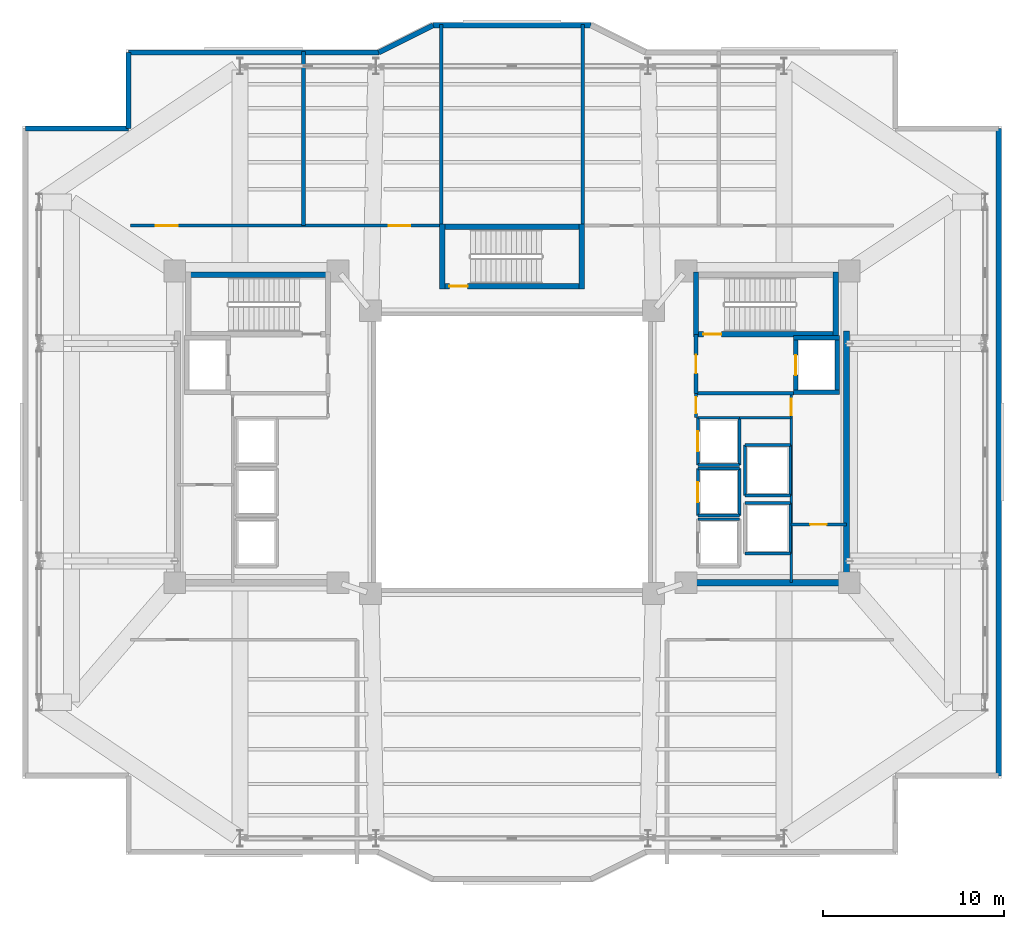
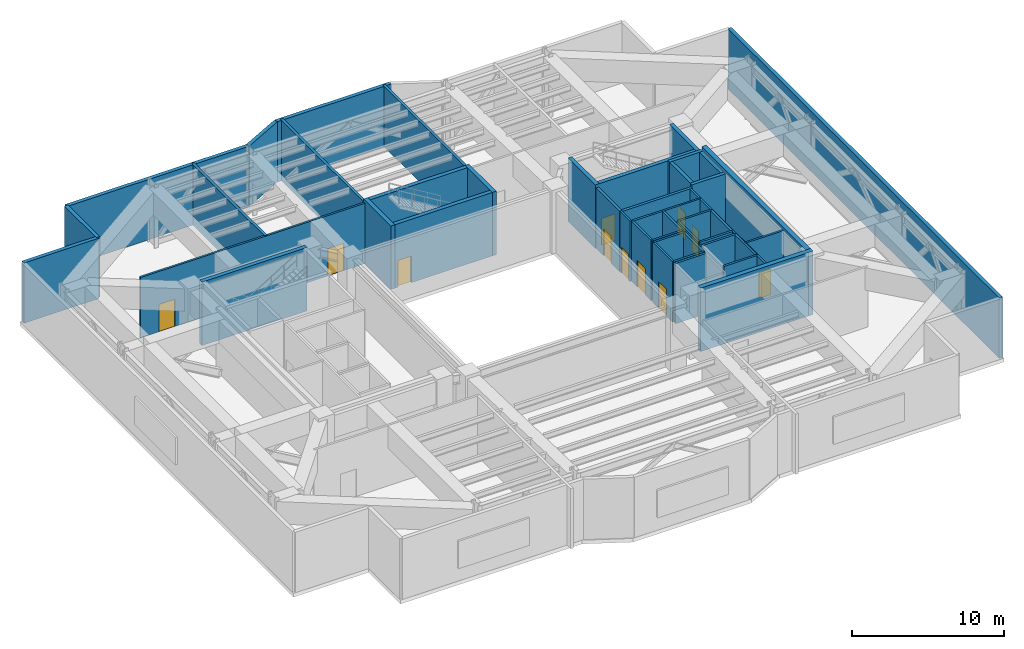
# One storey, part 9 of 13: 46 walls, 11 doors, 11 openings.
"""IFC4 building model written with IfcOpenShell, lengths in metres."""

from ifc_helpers import new_model, si_unit, direction, frame, frame_2d, origin, place, context, subcontext, project, spatial, rectangle, extrude, material, layer, layer_set, type_object, element, fill, save


model = new_model("IFC4")

# Units and contexts
model_context = context("Model", 3, precision=1e-05, world=origin(), true_north=direction((0.0, 1.0)))
body_context = subcontext(model_context, "Body", "Model", "MODEL_VIEW")
ifc_project = project(units=[si_unit("LENGTHUNIT", "METRE"), si_unit("AREAUNIT", "SQUARE_METRE"), si_unit("VOLUMEUNIT", "CUBIC_METRE"), si_unit("PLANEANGLEUNIT", "RADIAN"), si_unit("MASSUNIT", "GRAM", prefix="KILO")], contexts=[model_context])

# Site, building, storey
site_placement = place(None, origin())
site = spatial("IfcSite", under=ifc_project, at=site_placement, CompositionType="ELEMENT")
building_placement = place(site_placement, origin())
building = spatial("IfcBuilding", under=site, at=building_placement, Name="Tarnavaz Court Tower", CompositionType="ELEMENT")
storey_placement = place(building_placement, frame((0.0, 0.0, 127.5)))
storey = spatial("IfcBuildingStorey", under=building, at=storey_placement, Name="L34", CompositionType="ELEMENT", Elevation=127.5)

# Wall, opening, door
ifc_material_1 = material(Name="Concrete C60/75", Category="concrete")
ifc_layer_1 = layer(ifc_material_1, 0.25)
ifc_layer_set_1 = layer_set([ifc_layer_1], Name="Concrete C60/75")
wall_type_1 = type_object("IfcWallType", Name="WL-CORE-250-C60", PredefinedType="SHEAR", material=ifc_layer_set_1)
wall_1_placement = place(storey_placement, frame((15.64990234375, 3.175048828125, 0.0), z_axis=(0.0, 0.0, 1.0), x_axis=(0.0, 1.0, 0.0)))
wall_1 = element("IfcWall", 1, at=wall_1_placement, inside=storey, type_object=wall_type_1, Name="L34 Lift FL-E1 Shaft Wall 033", PredefinedType="SHEAR", context=body_context, shape_type="SweptSolid", body=[
    extrude(rectangle(XDim=3.25, YDim=0.25, at=frame_2d((1.625, 0.0))), origin(), (0.0, 0.0, 1.0), 5.10009765625),
])
opening_1_placement = place(wall_1_placement, frame((1.074951171875, 0.0, 0.0)))
opening_1 = element("IfcOpeningElement", 2, at=opening_1_placement, cuts=wall_1, Name="Opening LD1", PredefinedType="OPENING", context=body_context, shape_type="SweptSolid", body=[
    extrude(rectangle(XDim=1.10009765625, YDim=2.14990234375, at=frame_2d((0.550048828125, 1.074951171875))), frame((0.0, 0.135009765625, 0.0), z_axis=(0.0, -1.0, 0.0), x_axis=(1.0, 0.0, 0.0)), (0.0, 0.0, 1.0), 0.27001953125),
])
ifc_material_2 = material(Name="Stainless Steel", Category="steel")
door_type_1 = type_object("IfcDoorType", Name="DR-LD-1100", OperationType="NOTDEFINED", PredefinedType="DOOR", material=ifc_material_2)
door_1_placement = place(opening_1_placement, origin())
door_1 = element("IfcDoor", 3, at=door_1_placement, inside=storey, type_object=door_type_1, Name="L34 Lift Landing Door LD-FL-E1", OperationType="SLIDING_TO_LEFT", OverallHeight=2.14990234375, OverallWidth=1.10009765625, PredefinedType="DOOR", context=body_context, shape_type="SweptSolid", body=[
    extrude(rectangle(XDim=1.10009765625, YDim=2.14990234375, at=frame_2d((0.550048828125, 1.074951171875))), frame((0.0, 0.02490234375, 0.0), z_axis=(0.0, -1.0, 0.0), x_axis=(1.0, 0.0, 0.0)), (0.0, 0.0, 1.0), 0.050048828125),
])
fill(opening_1, door_1)

# Walls
wall_2_placement = place(storey_placement, frame((17.949951171875, 3.175048828125, 0.0), z_axis=(0.0, 0.0, 1.0), x_axis=(0.0, 1.0, 0.0)))
element("IfcWall", 4, at=wall_2_placement, inside=storey, type_object=wall_type_1, Name="L34 Lift FL-E1 Shaft Wall 034", PredefinedType="SHEAR", context=body_context, shape_type="SweptSolid", body=[
    extrude(rectangle(XDim=3.25, YDim=0.25, at=frame_2d((1.625, 0.0))), origin(), (0.0, 0.0, 1.0), 5.10009765625),
])
for number, where, z_axis, x_axis, name in (
    (5, (15.52490234375, 3.300048828125, 0.0), (0.0, 0.0, 1.0), (1.0, 0.0, 0.0), "L34 Lift FL-E1 Shaft Wall 035"),
    (6, (15.52490234375, 6.300048828125, 0.0), (0.0, 0.0, 1.0), (1.0, 0.0, 0.0), "L34 Lift FL-E1 Shaft Wall 036"),
):
    element("IfcWall", number, at=place(storey_placement, frame(where, z_axis=z_axis, x_axis=x_axis)), inside=storey, type_object=wall_type_1, Name=name, PredefinedType="SHEAR", context=body_context, shape_type="SweptSolid", body=[
        extrude(rectangle(XDim=2.550048828125, YDim=0.25, at=frame_2d((1.27490234375, 0.0))), origin(), (0.0, 0.0, 1.0), 5.10009765625),
    ])
ifc_layer_2 = layer(ifc_material_1, 0.300048828125)
ifc_layer_set_2 = layer_set([ifc_layer_2], Name="Concrete C60/75")
wall_type_2 = type_object("IfcWallType", Name="WL-CORE-300-C60", PredefinedType="SHEAR", material=ifc_layer_set_2)
wall_3_placement = place(storey_placement, frame((-18.0, 9.7900390625, 0.0), z_axis=(0.0, 0.0, 1.0), x_axis=(1.0, 0.0, 0.0)))
element("IfcWall", 7, at=wall_3_placement, inside=storey, type_object=wall_type_2, Name="L34 West Stair Core Wall 001", PredefinedType="SHEAR", context=body_context, shape_type="SweptSolid", body=[
    extrude(rectangle(XDim=8.0, YDim=0.300048828125, at=frame_2d((4.0, 0.0))), origin(), (0.0, 0.0, 1.0), 5.10009765625),
])

# Wall, opening, door
wall_4_placement = place(storey_placement, frame((10.0, 6.5, 0.0), z_axis=(0.0, 0.0, 1.0), x_axis=(1.0, 0.0, 0.0)))
wall_4 = element("IfcWall", 8, at=wall_4_placement, inside=storey, type_object=wall_type_2, Name="L34 East Stair Core Wall 006", PredefinedType="SHEAR", context=body_context, shape_type="SweptSolid", body=[
    extrude(rectangle(XDim=8.0, YDim=0.300048828125, at=frame_2d((4.0, 0.0))), origin(), (0.0, 0.0, 1.0), 5.10009765625),
])
opening_2_placement = place(wall_4_placement, frame((0.550048828125, 0.0, 0.0)))
opening_2 = element("IfcOpeningElement", 9, at=opening_2_placement, cuts=wall_4, Name="Opening D01", PredefinedType="OPENING", context=body_context, shape_type="SweptSolid", body=[
    extrude(rectangle(XDim=1.0, YDim=2.14990234375, at=frame_2d((0.5, 1.074951171875))), frame((0.0, 0.159912109375, 0.0), z_axis=(0.0, -1.0, 0.0), x_axis=(1.0, 0.0, 0.0)), (0.0, 0.0, 1.0), 0.320068359375),
])
ifc_material_3 = material(Name="Fire-Rated Hardwood Timber Core", Category="wood")
door_type_2 = type_object("IfcDoorType", Name="DR-FD90-1000", OperationType="NOTDEFINED", PredefinedType="DOOR", material=ifc_material_3)
door_2_placement = place(opening_2_placement, origin())
door_2 = element("IfcDoor", 10, at=door_2_placement, inside=storey, type_object=door_type_2, Name="L34 Stair ST-E1 Exit Door", OperationType="SINGLE_SWING_RIGHT", OverallHeight=2.14990234375, OverallWidth=1.0, PredefinedType="DOOR", context=body_context, shape_type="SweptSolid", body=[
    extrude(rectangle(XDim=1.0, YDim=2.14990234375, at=frame_2d((0.5, 1.074951171875))), frame((0.0, 0.02490234375, 0.0), z_axis=(0.0, -1.0, 0.0), x_axis=(1.0, 0.0, 0.0)), (0.0, 0.0, 1.0), 0.050048828125),
])
fill(opening_2, door_2)

# Walls
for number, where, z_axis, x_axis, name in (
    (11, (10.14990234375, 6.35009765625, 0.0), (0.0, 0.0, 1.0), (0.0, 1.0, 0.0), "L34 East Stair Core Wall 007"),
    (12, (17.85009765625, 6.35009765625, 0.0), (0.0, 0.0, 1.0), (0.0, 1.0, 0.0), "L34 East Stair Core Wall 008"),
):
    element("IfcWall", number, at=place(storey_placement, frame(where, z_axis=z_axis, x_axis=x_axis)), inside=storey, type_object=wall_type_2, Name=name, PredefinedType="SHEAR", context=body_context, shape_type="SweptSolid", body=[
        extrude(rectangle(XDim=3.58984375, YDim=0.300048828125, at=frame_2d((1.794921875, 0.0))), origin(), (0.0, 0.0, 1.0), 5.10009765625),
    ])
wall_5_placement = place(storey_placement, frame((-4.0, 12.43994140625, 0.0), z_axis=(0.0, 0.0, 1.0), x_axis=(1.0, 0.0, 0.0)))
element("IfcWall", 13, at=wall_5_placement, inside=storey, type_object=wall_type_2, Name="L34 North Stair Core Wall 009", PredefinedType="SHEAR", context=body_context, shape_type="SweptSolid", body=[
    extrude(rectangle(XDim=8.0, YDim=0.300048828125, at=frame_2d((4.0, 0.0))), origin(), (0.0, 0.0, 1.0), 5.10009765625),
])

# Wall, opening, door
wall_6_placement = place(storey_placement, frame((-4.0, 9.14990234375, 0.0), z_axis=(0.0, 0.0, 1.0), x_axis=(1.0, 0.0, 0.0)))
wall_6 = element("IfcWall", 14, at=wall_6_placement, inside=storey, type_object=wall_type_2, Name="L34 North Stair Core Wall 010", PredefinedType="SHEAR", context=body_context, shape_type="SweptSolid", body=[
    extrude(rectangle(XDim=8.0, YDim=0.300048828125, at=frame_2d((4.0, 0.0))), origin(), (0.0, 0.0, 1.0), 5.10009765625),
])
opening_3_placement = place(wall_6_placement, frame((0.550048828125, 0.0, 0.0)))
opening_3 = element("IfcOpeningElement", 15, at=opening_3_placement, cuts=wall_6, Name="Opening D01", PredefinedType="OPENING", context=body_context, shape_type="SweptSolid", body=[
    extrude(rectangle(XDim=1.0, YDim=2.14990234375, at=frame_2d((0.5, 1.074951171875))), frame((0.0, 0.159912109375, 0.0), z_axis=(0.0, -1.0, 0.0), x_axis=(1.0, 0.0, 0.0)), (0.0, 0.0, 1.0), 0.320068359375),
])
door_3_placement = place(opening_3_placement, origin())
door_3 = element("IfcDoor", 16, at=door_3_placement, inside=storey, type_object=door_type_2, Name="L34 Stair ST-N1 Exit Door", OperationType="SINGLE_SWING_LEFT", OverallHeight=2.14990234375, OverallWidth=1.0, PredefinedType="DOOR", context=body_context, shape_type="SweptSolid", body=[
    extrude(rectangle(XDim=1.0, YDim=2.14990234375, at=frame_2d((0.5, 1.074951171875))), frame((0.0, 0.02490234375, 0.0), z_axis=(0.0, -1.0, 0.0), x_axis=(1.0, 0.0, 0.0)), (0.0, 0.0, 1.0), 0.050048828125),
])
fill(opening_3, door_3)

# Walls
for number, where, z_axis, x_axis, name in (
    (17, (-3.85009765625, 9.0, 0.0), (0.0, 0.0, 1.0), (0.0, 1.0, 0.0), "L34 North Stair Core Wall 011"),
    (18, (3.85009765625, 9.0, 0.0), (0.0, 0.0, 1.0), (0.0, 1.0, 0.0), "L34 North Stair Core Wall 012"),
):
    element("IfcWall", number, at=place(storey_placement, frame(where, z_axis=z_axis, x_axis=x_axis)), inside=storey, type_object=wall_type_2, Name=name, PredefinedType="SHEAR", context=body_context, shape_type="SweptSolid", body=[
        extrude(rectangle(XDim=3.590087890625, YDim=0.300048828125, at=frame_2d((1.794921875, 0.0))), origin(), (0.0, 0.0, 1.0), 5.10009765625),
    ])
ifc_layer_3 = layer(ifc_material_1, 0.35009765625)
ifc_layer_set_3 = layer_set([ifc_layer_3], Name="Concrete C60/75")
wall_type_3 = type_object("IfcWallType", Name="WL-CORE-350-C60", PredefinedType="SHEAR", material=ifc_layer_set_3)
wall_7_placement = place(storey_placement, frame((18.449951171875, -7.375, 0.0), z_axis=(0.0, 0.0, 1.0), x_axis=(0.0, 1.0, 0.0)))
element("IfcWall", 19, at=wall_7_placement, inside=storey, type_object=wall_type_3, Name="L34 East Core Shear Wall 059", PredefinedType="SHEAR", context=body_context, shape_type="SweptSolid", body=[
    extrude(rectangle(XDim=14.050048828125, YDim=0.35009765625, at=frame_2d((7.02490234375, 0.0))), origin(), (0.0, 0.0, 1.0), 5.10009765625),
])
wall_8_placement = place(storey_placement, frame((10.074951171875, -7.199951171875, 0.0), z_axis=(0.0, 0.0, 1.0), x_axis=(1.0, 0.0, 0.0)))
element("IfcWall", 20, at=wall_8_placement, inside=storey, type_object=wall_type_3, Name="L34 East Core South Shear Wall 060", PredefinedType="SHEAR", context=body_context, shape_type="SweptSolid", body=[
    extrude(rectangle(XDim=8.550048828125, YDim=0.35009765625, at=frame_2d((4.27490234375, 0.0))), origin(), (0.0, 0.0, 1.0), 5.10009765625),
])
ifc_material_4 = material(Name="Precast Concrete C40/50", Category="concrete")
ifc_layer_4 = layer(ifc_material_4, 0.280029296875)
ifc_layer_set_4 = layer_set([ifc_layer_4], Name="Precast Concrete C40/50")
wall_type_4 = type_object("IfcWallType", Name="WL-EXT-280", PredefinedType="SOLIDWALL", material=ifc_layer_set_4)
wall_9_placement = place(storey_placement, frame((-26.85009765625, 17.85009765625, 0.0), z_axis=(0.0, 0.0, 1.0), x_axis=(1.0, 0.0, 0.0)))
element("IfcWall", 21, at=wall_9_placement, inside=storey, type_object=wall_type_4, Name="L34 Exterior Terracotta Facade Wall 03", PredefinedType="SOLIDWALL", context=body_context, shape_type="SweptSolid", body=[
    extrude(rectangle(XDim=5.7001953125, YDim=0.280029296875, at=frame_2d((2.85009765625, 0.0))), origin(), (0.0, 0.0, 1.0), 4.85009765625),
])
wall_10_placement = place(storey_placement, frame((-21.14990234375, 17.85009765625, 0.0), z_axis=(0.0, 0.0, 1.0), x_axis=(0.0, 1.0, 0.0)))
element("IfcWall", 22, at=wall_10_placement, inside=storey, type_object=wall_type_4, Name="L34 Exterior Terracotta Facade Wall 04", PredefinedType="SOLIDWALL", context=body_context, shape_type="SweptSolid", body=[
    extrude(rectangle(XDim=4.199951171875, YDim=0.280029296875, at=frame_2d((2.10009765625, 0.0))), origin(), (0.0, 0.0, 1.0), 4.85009765625),
])
wall_11_placement = place(storey_placement, frame((-21.14990234375, 22.050048828125, 0.0), z_axis=(0.0, 0.0, 1.0), x_axis=(1.0, 0.0, 0.0)))
element("IfcWall", 23, at=wall_11_placement, inside=storey, type_object=wall_type_4, Name="L34 Exterior Terracotta Facade Wall 05", PredefinedType="SOLIDWALL", context=body_context, shape_type="SweptSolid", body=[
    extrude(rectangle(XDim=13.7998046875, YDim=0.280029296875, at=frame_2d((6.89990234375, 0.0))), origin(), (0.0, 0.0, 1.0), 4.85009765625),
])
wall_12_placement = place(storey_placement, frame((-7.35009765625, 22.050048828125, 0.0), z_axis=(0.0, 0.0, 1.0), x_axis=(0.894427191, 0.4472135955, 0.0)))
element("IfcWall", 24, at=wall_12_placement, inside=storey, type_object=wall_type_4, Name="L34 Exterior Terracotta Facade Wall 06", PredefinedType="SOLIDWALL", context=body_context, shape_type="SweptSolid", body=[
    extrude(rectangle(XDim=3.35400390625, YDim=0.280029296875, at=frame_2d((1.677001953125, 0.0))), origin(), (0.0, 0.0, 1.0), 4.85009765625),
])
wall_13_placement = place(storey_placement, frame((-4.35009765625, 23.550048828125, 0.0), z_axis=(0.0, 0.0, 1.0), x_axis=(1.0, 0.0, 0.0)))
element("IfcWall", 25, at=wall_13_placement, inside=storey, type_object=wall_type_4, Name="L34 Exterior Terracotta Facade Wall 07", PredefinedType="SOLIDWALL", context=body_context, shape_type="SweptSolid", body=[
    extrude(rectangle(XDim=8.7001953125, YDim=0.280029296875, at=frame_2d((4.35009765625, 0.0))), origin(), (0.0, 0.0, 1.0), 4.85009765625),
])
wall_14_placement = place(storey_placement, frame((26.85009765625, 17.85009765625, 0.0), z_axis=(0.0, 0.0, 1.0), x_axis=(0.0, -1.0, 0.0)))
element("IfcWall", 26, at=wall_14_placement, inside=storey, type_object=wall_type_4, Name="L34 Exterior Terracotta Facade Wall 12", PredefinedType="SOLIDWALL", context=body_context, shape_type="SweptSolid", body=[
    extrude(rectangle(XDim=35.7001953125, YDim=0.280029296875, at=frame_2d((17.85009765625, 0.0))), origin(), (0.0, 0.0, 1.0), 4.85009765625),
])

# Wall, openings, doors
ifc_material_5 = material(Name="Gypsum Fire-Board on Acoustic Metal Stud", Category="masonry")
ifc_layer_5 = layer(ifc_material_5, 0.14990234375)
ifc_layer_set_5 = layer_set([ifc_layer_5], Name="Gypsum Fire-Board on Acoustic Metal Stud")
wall_type_5 = type_object("IfcWallType", Name="WL-FIRE-150", PredefinedType="PARTITIONING", material=ifc_layer_set_5)
wall_15_placement = place(storey_placement, frame((-21.050048828125, 12.5, 0.0), z_axis=(0.0, 0.0, 1.0), x_axis=(1.0, 0.0, 0.0)))
wall_15 = element("IfcWall", 27, at=wall_15_placement, inside=storey, type_object=wall_type_5, Name="L34 NW Wing Corridor Wall 069", PredefinedType="PARTITIONING", context=body_context, shape_type="SweptSolid", body=[
    extrude(rectangle(XDim=17.199951171875, YDim=0.14990234375, at=frame_2d((8.60009765625, 0.0))), origin(), (0.0, 0.0, 1.0), 4.85009765625),
])
opening_4_placement = place(wall_15_placement, frame((1.39990234375, 0.0, 0.0)))
opening_4 = element("IfcOpeningElement", 28, at=opening_4_placement, cuts=wall_15, Name="Opening D03", PredefinedType="OPENING", context=body_context, shape_type="SweptSolid", body=[
    extrude(rectangle(XDim=1.199951171875, YDim=2.199951171875, at=frame_2d((0.60009765625, 1.10009765625))), frame((0.0, 0.0849609375, 0.0), z_axis=(0.0, -1.0, 0.0), x_axis=(1.0, 0.0, 0.0)), (0.0, 0.0, 1.0), 0.169921875),
])
opening_5_placement = place(wall_15_placement, frame((14.25, 0.0, 0.0)))
opening_5 = element("IfcOpeningElement", 29, at=opening_5_placement, cuts=wall_15, Name="Opening D03", PredefinedType="OPENING", context=body_context, shape_type="SweptSolid", body=[
    extrude(rectangle(XDim=1.199951171875, YDim=2.199951171875, at=frame_2d((0.60009765625, 1.10009765625))), frame((0.0, 0.0849609375, 0.0), z_axis=(0.0, -1.0, 0.0), x_axis=(1.0, 0.0, 0.0)), (0.0, 0.0, 1.0), 0.169921875),
])
door_type_3 = type_object("IfcDoorType", Name="DR-FD90-1200", OperationType="NOTDEFINED", PredefinedType="DOOR", material=ifc_material_3)
door_4_placement = place(opening_4_placement, origin())
door_4 = element("IfcDoor", 30, at=door_4_placement, inside=storey, type_object=door_type_3, Name="L34 Chilled Water Plant Door", OperationType="SINGLE_SWING_LEFT", OverallHeight=2.199951171875, OverallWidth=1.199951171875, PredefinedType="DOOR", context=body_context, shape_type="SweptSolid", body=[
    extrude(rectangle(XDim=1.199951171875, YDim=2.199951171875, at=frame_2d((0.60009765625, 1.10009765625))), frame((0.0, 0.02490234375, 0.0), z_axis=(0.0, -1.0, 0.0), x_axis=(1.0, 0.0, 0.0)), (0.0, 0.0, 1.0), 0.050048828125),
])
fill(opening_4, door_4)
door_5_placement = place(opening_5_placement, origin())
door_5 = element("IfcDoor", 31, at=door_5_placement, inside=storey, type_object=door_type_3, Name="L34 North Refuge Area Door", OperationType="SINGLE_SWING_RIGHT", OverallHeight=2.199951171875, OverallWidth=1.199951171875, PredefinedType="DOOR", context=body_context, shape_type="SweptSolid", body=[
    extrude(rectangle(XDim=1.199951171875, YDim=2.199951171875, at=frame_2d((0.60009765625, 1.10009765625))), frame((0.0, 0.02490234375, 0.0), z_axis=(0.0, -1.0, 0.0), x_axis=(1.0, 0.0, 0.0)), (0.0, 0.0, 1.0), 0.050048828125),
])
fill(opening_5, door_5)

# Wall
ifc_material_6 = material(Name="Autoclaved Aerated Concrete Blockwork", Category="masonry")
ifc_layer_6 = layer(ifc_material_6, 0.199951171875)
ifc_layer_set_6 = layer_set([ifc_layer_6], Name="Autoclaved Aerated Concrete Blockwork")
wall_type_6 = type_object("IfcWallType", Name="WL-FIRE-200", PredefinedType="SOLIDWALL", material=ifc_layer_set_6)
wall_16_placement = place(storey_placement, frame((10.14990234375, 3.25, 0.0), z_axis=(0.0, 0.0, 1.0), x_axis=(1.0, 0.0, 0.0)))
element("IfcWall", 32, at=wall_16_placement, inside=storey, type_object=wall_type_6, Name="L34 East Firefighting Lobby Wall 015", PredefinedType="SOLIDWALL", context=body_context, shape_type="SweptSolid", body=[
    extrude(rectangle(XDim=5.400146484375, YDim=0.199951171875, at=frame_2d((2.7001953125, 0.0))), origin(), (0.0, 0.0, 1.0), 4.85009765625),
])

# Wall, opening, door
wall_17_placement = place(storey_placement, frame((10.14990234375, 3.25, 0.0), z_axis=(0.0, 0.0, 1.0), x_axis=(0.0, 1.0, 0.0)))
wall_17 = element("IfcWall", 33, at=wall_17_placement, inside=storey, type_object=wall_type_6, Name="L34 East Firefighting Lobby Wall 016", PredefinedType="SOLIDWALL", context=body_context, shape_type="SweptSolid", body=[
    extrude(rectangle(XDim=3.25, YDim=0.199951171875, at=frame_2d((1.625, 0.0))), origin(), (0.0, 0.0, 1.0), 4.85009765625),
])
opening_6_placement = place(wall_17_placement, frame((1.10009765625, 0.0, 0.0)))
opening_6 = element("IfcOpeningElement", 34, at=opening_6_placement, cuts=wall_17, Name="Opening D05", PredefinedType="OPENING", context=body_context, shape_type="SweptSolid", body=[
    extrude(rectangle(XDim=1.02001953125, YDim=2.14990234375, at=frame_2d((0.510009765625, 1.074951171875))), frame((0.0, 0.10986328125, 0.0), z_axis=(0.0, -1.0, 0.0), x_axis=(1.0, 0.0, 0.0)), (0.0, 0.0, 1.0), 0.219970703125),
])
door_type_4 = type_object("IfcDoorType", Name="DR-FD60-1000", OperationType="NOTDEFINED", PredefinedType="DOOR", material=ifc_material_3)
door_6_placement = place(opening_6_placement, origin())
door_6 = element("IfcDoor", 35, at=door_6_placement, inside=storey, type_object=door_type_4, Name="L34 East Firefighting Lobby Door", OperationType="SINGLE_SWING_LEFT", OverallHeight=2.14990234375, OverallWidth=1.02001953125, PredefinedType="DOOR", context=body_context, shape_type="SweptSolid", body=[
    extrude(rectangle(XDim=1.02001953125, YDim=2.14990234375, at=frame_2d((0.510009765625, 1.074951171875))), frame((0.0, 0.02490234375, 0.0), z_axis=(0.0, -1.0, 0.0), x_axis=(1.0, 0.0, 0.0)), (0.0, 0.0, 1.0), 0.050048828125),
])
fill(opening_6, door_6)

# Walls
for number, where, z_axis, x_axis, name in (
    (36, (-3.89990234375, 12.5, 0.0), (0.0, 0.0, 1.0), (0.0, 1.0, 0.0), "L34 Interior Partition 073"),
    (37, (3.89990234375, 12.5, 0.0), (0.0, 0.0, 1.0), (0.0, 1.0, 0.0), "L34 Interior Partition 074"),
):
    element("IfcWall", number, at=place(storey_placement, frame(where, z_axis=z_axis, x_axis=x_axis)), inside=storey, type_object=wall_type_6, Name=name, PredefinedType="SOLIDWALL", context=body_context, shape_type="SweptSolid", body=[
        extrude(rectangle(XDim=11.080078125, YDim=0.199951171875, at=frame_2d((5.5400390625, 0.0))), origin(), (0.0, 0.0, 1.0), 4.85009765625),
    ])
wall_18_placement = place(storey_placement, frame((-11.5, 12.5, 0.0), z_axis=(0.0, 0.0, 1.0), x_axis=(0.0, 1.0, 0.0)))
element("IfcWall", 38, at=wall_18_placement, inside=storey, type_object=wall_type_6, Name="L34 Interior Partition 075", PredefinedType="SOLIDWALL", context=body_context, shape_type="SweptSolid", body=[
    extrude(rectangle(XDim=9.60009765625, YDim=0.199951171875, at=frame_2d((4.800048828125, 0.0))), origin(), (0.0, 0.0, 1.0), 4.85009765625),
])
ifc_material_7 = material(Name="Gypsum Plasterboard Acoustic Partition", Category="masonry")
ifc_layer_7 = layer(ifc_material_7, 0.139892578125)
ifc_layer_set_7 = layer_set([ifc_layer_7], Name="Gypsum Plasterboard Acoustic Partition")
wall_type_7 = type_object("IfcWallType", Name="WL-PART-150", PredefinedType="PARTITIONING", material=ifc_layer_set_7)
wall_19_placement = place(storey_placement, frame((12.550048828125, 1.89990234375, 0.0), z_axis=(0.0, 0.0, 1.0), x_axis=(1.0, 0.0, 0.0)))
element("IfcWall", 39, at=wall_19_placement, inside=storey, type_object=wall_type_7, Name="L34 Interior Partition 065", PredefinedType="PARTITIONING", context=body_context, shape_type="SweptSolid", body=[
    extrude(rectangle(XDim=2.849853515625, YDim=0.139892578125, at=frame_2d((1.4248046875, 0.0))), origin(), (0.0, 0.0, 1.0), 4.85009765625),
])

# Wall, opening, door
wall_20_placement = place(storey_placement, frame((10.14990234375, 1.919921875, 0.0), z_axis=(0.0, 0.0, 1.0), x_axis=(0.0, 1.0, 0.0)))
wall_20 = element("IfcWall", 40, at=wall_20_placement, inside=storey, type_object=wall_type_7, Name="L34 Interior Partition 066", PredefinedType="PARTITIONING", context=body_context, shape_type="SweptSolid", body=[
    extrude(rectangle(XDim=1.330078125, YDim=0.139892578125, at=frame_2d((0.6650390625, 0.0))), origin(), (0.0, 0.0, 1.0), 4.85009765625),
])
opening_7_placement = place(wall_20_placement, frame((0.219970703125, 0.0, 0.0)))
opening_7 = element("IfcOpeningElement", 41, at=opening_7_placement, cuts=wall_20, Name="Opening D09", PredefinedType="OPENING", context=body_context, shape_type="SweptSolid", body=[
    extrude(rectangle(XDim=0.89990234375, YDim=2.080078125, at=frame_2d((0.449951171875, 1.0400390625))), frame((0.0, 0.079833984375, 0.0), z_axis=(0.0, -1.0, 0.0), x_axis=(1.0, 0.0, 0.0)), (0.0, 0.0, 1.0), 0.159912109375),
])
door_type_5 = type_object("IfcDoorType", Name="DR-FD30-900", OperationType="NOTDEFINED", PredefinedType="DOOR", material=ifc_material_3)
door_7_placement = place(opening_7_placement, origin())
door_7 = element("IfcDoor", 42, at=door_7_placement, inside=storey, type_object=door_type_5, Name="L34 East Core Service Lobby Door", OperationType="SINGLE_SWING_RIGHT", OverallHeight=2.080078125, OverallWidth=0.89990234375, PredefinedType="DOOR", context=body_context, shape_type="SweptSolid", body=[
    extrude(rectangle(XDim=0.89990234375, YDim=2.080078125, at=frame_2d((0.449951171875, 1.0400390625))), frame((0.0, 0.02490234375, 0.0), z_axis=(0.0, -1.0, 0.0), x_axis=(1.0, 0.0, 0.0)), (0.0, 0.0, 1.0), 0.050048828125),
])
fill(opening_7, door_7)

wall_21_placement = place(storey_placement, frame((15.39990234375, -7.199951171875, 0.0), z_axis=(0.0, 0.0, 1.0), x_axis=(0.0, 1.0, 0.0)))
wall_21 = element("IfcWall", 43, at=wall_21_placement, inside=storey, type_object=wall_type_7, Name="L34 Interior Partition 067", PredefinedType="PARTITIONING", context=body_context, shape_type="SweptSolid", body=[
    extrude(rectangle(XDim=10.449951171875, YDim=0.139892578125, at=frame_2d((5.22509765625, 0.0))), origin(), (0.0, 0.0, 1.0), 4.85009765625),
])
opening_8_placement = place(wall_21_placement, frame((9.25, 0.0, 0.0)))
opening_8 = element("IfcOpeningElement", 44, at=opening_8_placement, cuts=wall_21, Name="Opening D09", PredefinedType="OPENING", context=body_context, shape_type="SweptSolid", body=[
    extrude(rectangle(XDim=0.89990234375, YDim=2.080078125, at=frame_2d((0.449951171875, 1.0400390625))), frame((0.0, 0.079833984375, 0.0), z_axis=(0.0, -1.0, 0.0), x_axis=(1.0, 0.0, 0.0)), (0.0, 0.0, 1.0), 0.159912109375),
])
door_8_placement = place(opening_8_placement, origin())
door_8 = element("IfcDoor", 45, at=door_8_placement, inside=storey, type_object=door_type_5, Name="L34 East Wet Riser Door", OperationType="SINGLE_SWING_LEFT", OverallHeight=2.080078125, OverallWidth=0.89990234375, PredefinedType="DOOR", context=body_context, shape_type="SweptSolid", body=[
    extrude(rectangle(XDim=0.89990234375, YDim=2.080078125, at=frame_2d((0.449951171875, 1.0400390625))), frame((0.0, 0.02490234375, 0.0), z_axis=(0.0, -1.0, 0.0), x_axis=(1.0, 0.0, 0.0)), (0.0, 0.0, 1.0), 0.050048828125),
])
fill(opening_8, door_8)

wall_22_placement = place(storey_placement, frame((15.39990234375, -3.989990234375, 0.0), z_axis=(0.0, 0.0, 1.0), x_axis=(1.0, 0.0, 0.0)))
wall_22 = element("IfcWall", 46, at=wall_22_placement, inside=storey, type_object=wall_type_7, Name="L34 Interior Partition 068", PredefinedType="PARTITIONING", context=body_context, shape_type="SweptSolid", body=[
    extrude(rectangle(XDim=3.050048828125, YDim=0.139892578125, at=frame_2d((1.52490234375, 0.0))), origin(), (0.0, 0.0, 1.0), 4.85009765625),
])
opening_9_placement = place(wall_22_placement, frame((1.050048828125, 0.0, 0.0)))
opening_9 = element("IfcOpeningElement", 47, at=opening_9_placement, cuts=wall_22, Name="Opening D09", PredefinedType="OPENING", context=body_context, shape_type="SweptSolid", body=[
    extrude(rectangle(XDim=0.89990234375, YDim=2.080078125, at=frame_2d((0.449951171875, 1.0400390625))), frame((0.0, 0.079833984375, 0.0), z_axis=(0.0, -1.0, 0.0), x_axis=(1.0, 0.0, 0.0)), (0.0, 0.0, 1.0), 0.159912109375),
])
door_9_placement = place(opening_9_placement, origin())
door_9 = element("IfcDoor", 48, at=door_9_placement, inside=storey, type_object=door_type_5, Name="L34 East Electrical Plant Door", OperationType="SINGLE_SWING_RIGHT", OverallHeight=2.080078125, OverallWidth=0.89990234375, PredefinedType="DOOR", context=body_context, shape_type="SweptSolid", body=[
    extrude(rectangle(XDim=0.89990234375, YDim=2.080078125, at=frame_2d((0.449951171875, 1.0400390625))), frame((0.0, 0.02490234375, 0.0), z_axis=(0.0, -1.0, 0.0), x_axis=(1.0, 0.0, 0.0)), (0.0, 0.0, 1.0), 0.050048828125),
])
fill(opening_9, door_9)

# Wall
ifc_layer_8 = layer(ifc_material_6, 0.159912109375)
ifc_layer_set_8 = layer_set([ifc_layer_8], Name="Autoclaved Aerated Concrete Blockwork")
wall_type_8 = type_object("IfcWallType", Name="WL-SHAFT-150", PredefinedType="SOLIDWALL", material=ifc_layer_set_8)
wall_23_placement = place(storey_placement, frame((10.25, -3.699951171875, 0.0), z_axis=(0.0, 0.0, 1.0), x_axis=(1.0, 0.0, 0.0)))
element("IfcWall", 49, at=wall_23_placement, inside=storey, type_object=wall_type_8, Name="L34 Lift PL-M1 Shaft Wall 040", PredefinedType="SOLIDWALL", context=body_context, shape_type="SweptSolid", body=[
    extrude(rectangle(XDim=2.300048828125, YDim=0.159912109375, at=frame_2d((1.14990234375, 0.0))), origin(), (0.0, 0.0, 1.0), 4.85009765625),
])

# Wall, opening, door
wall_24_placement = place(storey_placement, frame((10.25, -3.5, 0.0), z_axis=(0.0, 0.0, 1.0), x_axis=(0.0, 1.0, 0.0)))
wall_24 = element("IfcWall", 50, at=wall_24_placement, inside=storey, type_object=wall_type_8, Name="L34 Lift PL-M2 Shaft Wall 041", PredefinedType="SOLIDWALL", context=body_context, shape_type="SweptSolid", body=[
    extrude(rectangle(XDim=2.60009765625, YDim=0.159912109375, at=frame_2d((1.300048828125, 0.0))), origin(), (0.0, 0.0, 1.0), 4.85009765625),
])
opening_10_placement = place(wall_24_placement, frame((0.75, 0.0, 0.0)))
opening_10 = element("IfcOpeningElement", 51, at=opening_10_placement, cuts=wall_24, Name="Opening LD1", PredefinedType="OPENING", context=body_context, shape_type="SweptSolid", body=[
    extrude(rectangle(XDim=1.10009765625, YDim=2.14990234375, at=frame_2d((0.550048828125, 1.074951171875))), frame((0.0, 0.08984375, 0.0), z_axis=(0.0, -1.0, 0.0), x_axis=(1.0, 0.0, 0.0)), (0.0, 0.0, 1.0), 0.179931640625),
])
door_10_placement = place(opening_10_placement, origin())
door_10 = element("IfcDoor", 52, at=door_10_placement, inside=storey, type_object=door_type_1, Name="L34 Lift Landing Door LD-PL-M2", OperationType="SLIDING_TO_LEFT", OverallHeight=2.14990234375, OverallWidth=1.10009765625, PredefinedType="DOOR", context=body_context, shape_type="SweptSolid", body=[
    extrude(rectangle(XDim=1.10009765625, YDim=2.14990234375, at=frame_2d((0.550048828125, 1.074951171875))), frame((0.0, 0.02490234375, 0.0), z_axis=(0.0, -1.0, 0.0), x_axis=(1.0, 0.0, 0.0)), (0.0, 0.0, 1.0), 0.050048828125),
])
fill(opening_10, door_10)

# Walls
wall_25_placement = place(storey_placement, frame((12.550048828125, -3.5, 0.0), z_axis=(0.0, 0.0, 1.0), x_axis=(0.0, 1.0, 0.0)))
element("IfcWall", 53, at=wall_25_placement, inside=storey, type_object=wall_type_8, Name="L34 Lift PL-M2 Shaft Wall 042", PredefinedType="SOLIDWALL", context=body_context, shape_type="SweptSolid", body=[
    extrude(rectangle(XDim=2.60009765625, YDim=0.159912109375, at=frame_2d((1.300048828125, 0.0))), origin(), (0.0, 0.0, 1.0), 4.85009765625),
])
for number, where, z_axis, x_axis, name in (
    (54, (10.25, -3.5, 0.0), (0.0, 0.0, 1.0), (1.0, 0.0, 0.0), "L34 Lift PL-M2 Shaft Wall 043"),
    (55, (10.25, -0.89990234375, 0.0), (0.0, 0.0, 1.0), (1.0, 0.0, 0.0), "L34 Lift PL-M2 Shaft Wall 044"),
):
    element("IfcWall", number, at=place(storey_placement, frame(where, z_axis=z_axis, x_axis=x_axis)), inside=storey, type_object=wall_type_8, Name=name, PredefinedType="SOLIDWALL", context=body_context, shape_type="SweptSolid", body=[
        extrude(rectangle(XDim=2.300048828125, YDim=0.159912109375, at=frame_2d((1.14990234375, 0.0))), origin(), (0.0, 0.0, 1.0), 4.85009765625),
    ])

# Wall, opening, door
wall_26_placement = place(storey_placement, frame((10.25, -0.699951171875, 0.0), z_axis=(0.0, 0.0, 1.0), x_axis=(0.0, 1.0, 0.0)))
wall_26 = element("IfcWall", 56, at=wall_26_placement, inside=storey, type_object=wall_type_8, Name="L34 Lift PL-M3 Shaft Wall 045", PredefinedType="SOLIDWALL", context=body_context, shape_type="SweptSolid", body=[
    extrude(rectangle(XDim=2.599853515625, YDim=0.159912109375, at=frame_2d((1.2998046875, 0.0))), origin(), (0.0, 0.0, 1.0), 4.85009765625),
])
opening_11_placement = place(wall_26_placement, frame((0.75, 0.0, 0.0)))
opening_11 = element("IfcOpeningElement", 57, at=opening_11_placement, cuts=wall_26, Name="Opening LD1", PredefinedType="OPENING", context=body_context, shape_type="SweptSolid", body=[
    extrude(rectangle(XDim=1.10009765625, YDim=2.14990234375, at=frame_2d((0.550048828125, 1.074951171875))), frame((0.0, 0.08984375, 0.0), z_axis=(0.0, -1.0, 0.0), x_axis=(1.0, 0.0, 0.0)), (0.0, 0.0, 1.0), 0.179931640625),
])
door_11_placement = place(opening_11_placement, origin())
door_11 = element("IfcDoor", 58, at=door_11_placement, inside=storey, type_object=door_type_1, Name="L34 Lift Landing Door LD-PL-M3", OperationType="SLIDING_TO_LEFT", OverallHeight=2.14990234375, OverallWidth=1.10009765625, PredefinedType="DOOR", context=body_context, shape_type="SweptSolid", body=[
    extrude(rectangle(XDim=1.10009765625, YDim=2.14990234375, at=frame_2d((0.550048828125, 1.074951171875))), frame((0.0, 0.02490234375, 0.0), z_axis=(0.0, -1.0, 0.0), x_axis=(1.0, 0.0, 0.0)), (0.0, 0.0, 1.0), 0.050048828125),
])
fill(opening_11, door_11)

# Walls
wall_27_placement = place(storey_placement, frame((12.550048828125, -0.699951171875, 0.0), z_axis=(0.0, 0.0, 1.0), x_axis=(0.0, 1.0, 0.0)))
element("IfcWall", 59, at=wall_27_placement, inside=storey, type_object=wall_type_8, Name="L34 Lift PL-M3 Shaft Wall 046", PredefinedType="SOLIDWALL", context=body_context, shape_type="SweptSolid", body=[
    extrude(rectangle(XDim=2.599853515625, YDim=0.159912109375, at=frame_2d((1.2998046875, 0.0))), origin(), (0.0, 0.0, 1.0), 4.85009765625),
])
for number, where, z_axis, x_axis, name in (
    (60, (10.25, -0.699951171875, 0.0), (0.0, 0.0, 1.0), (1.0, 0.0, 0.0), "L34 Lift PL-M3 Shaft Wall 047"),
    (61, (10.25, 1.89990234375, 0.0), (0.0, 0.0, 1.0), (1.0, 0.0, 0.0), "L34 Lift PL-M3 Shaft Wall 048"),
):
    element("IfcWall", number, at=place(storey_placement, frame(where, z_axis=z_axis, x_axis=x_axis)), inside=storey, type_object=wall_type_8, Name=name, PredefinedType="SOLIDWALL", context=body_context, shape_type="SweptSolid", body=[
        extrude(rectangle(XDim=2.300048828125, YDim=0.159912109375, at=frame_2d((1.14990234375, 0.0))), origin(), (0.0, 0.0, 1.0), 4.85009765625),
    ])
wall_28_placement = place(storey_placement, frame((15.35009765625, -5.60009765625, 0.0), z_axis=(0.0, 0.0, 1.0), x_axis=(0.0, 1.0, 0.0)))
element("IfcWall", 62, at=wall_28_placement, inside=storey, type_object=wall_type_8, Name="L34 Lift PL-OB1 Shaft Wall 050", PredefinedType="SOLIDWALL", context=body_context, shape_type="SweptSolid", body=[
    extrude(rectangle(XDim=2.800048828125, YDim=0.159912109375, at=frame_2d((1.39990234375, 0.0))), origin(), (0.0, 0.0, 1.0), 4.85009765625),
])
for number, where, z_axis, x_axis, name in (
    (63, (12.85009765625, -5.60009765625, 0.0), (0.0, 0.0, 1.0), (1.0, 0.0, 0.0), "L34 Lift PL-OB1 Shaft Wall 051"),
    (64, (12.85009765625, -2.800048828125, 0.0), (0.0, 0.0, 1.0), (1.0, 0.0, 0.0), "L34 Lift PL-OB1 Shaft Wall 052"),
):
    element("IfcWall", number, at=place(storey_placement, frame(where, z_axis=z_axis, x_axis=x_axis)), inside=storey, type_object=wall_type_8, Name=name, PredefinedType="SOLIDWALL", context=body_context, shape_type="SweptSolid", body=[
        extrude(rectangle(XDim=2.5, YDim=0.159912109375, at=frame_2d((1.25, 0.0))), origin(), (0.0, 0.0, 1.0), 4.85009765625),
    ])
for number, where, z_axis, x_axis, name in (
    (65, (12.85009765625, -2.39990234375, 0.0), (0.0, 0.0, 1.0), (0.0, 1.0, 0.0), "L34 Lift PL-OB2 Shaft Wall 053"),
    (66, (15.35009765625, -2.39990234375, 0.0), (0.0, 0.0, 1.0), (0.0, 1.0, 0.0), "L34 Lift PL-OB2 Shaft Wall 054"),
):
    element("IfcWall", number, at=place(storey_placement, frame(where, z_axis=z_axis, x_axis=x_axis)), inside=storey, type_object=wall_type_8, Name=name, PredefinedType="SOLIDWALL", context=body_context, shape_type="SweptSolid", body=[
        extrude(rectangle(XDim=2.7998046875, YDim=0.159912109375, at=frame_2d((1.39990234375, 0.0))), origin(), (0.0, 0.0, 1.0), 4.85009765625),
    ])
for number, where, z_axis, x_axis, name in (
    (67, (12.85009765625, -2.39990234375, 0.0), (0.0, 0.0, 1.0), (1.0, 0.0, 0.0), "L34 Lift PL-OB2 Shaft Wall 055"),
    (68, (12.85009765625, 0.39990234375, 0.0), (0.0, 0.0, 1.0), (1.0, 0.0, 0.0), "L34 Lift PL-OB2 Shaft Wall 056"),
):
    element("IfcWall", number, at=place(storey_placement, frame(where, z_axis=z_axis, x_axis=x_axis)), inside=storey, type_object=wall_type_8, Name=name, PredefinedType="SOLIDWALL", context=body_context, shape_type="SweptSolid", body=[
        extrude(rectangle(XDim=2.5, YDim=0.159912109375, at=frame_2d((1.25, 0.0))), origin(), (0.0, 0.0, 1.0), 4.85009765625),
    ])

save(model, "model.ifc")
